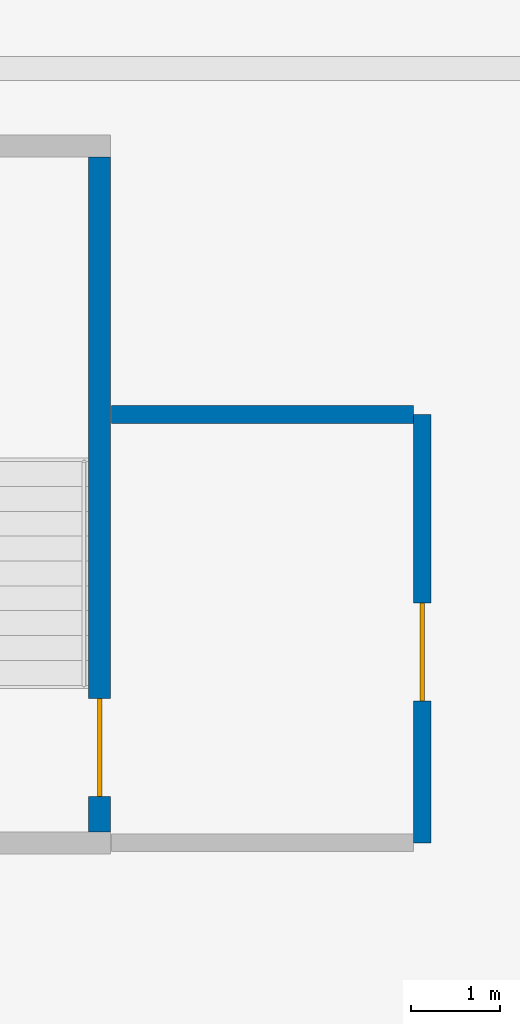
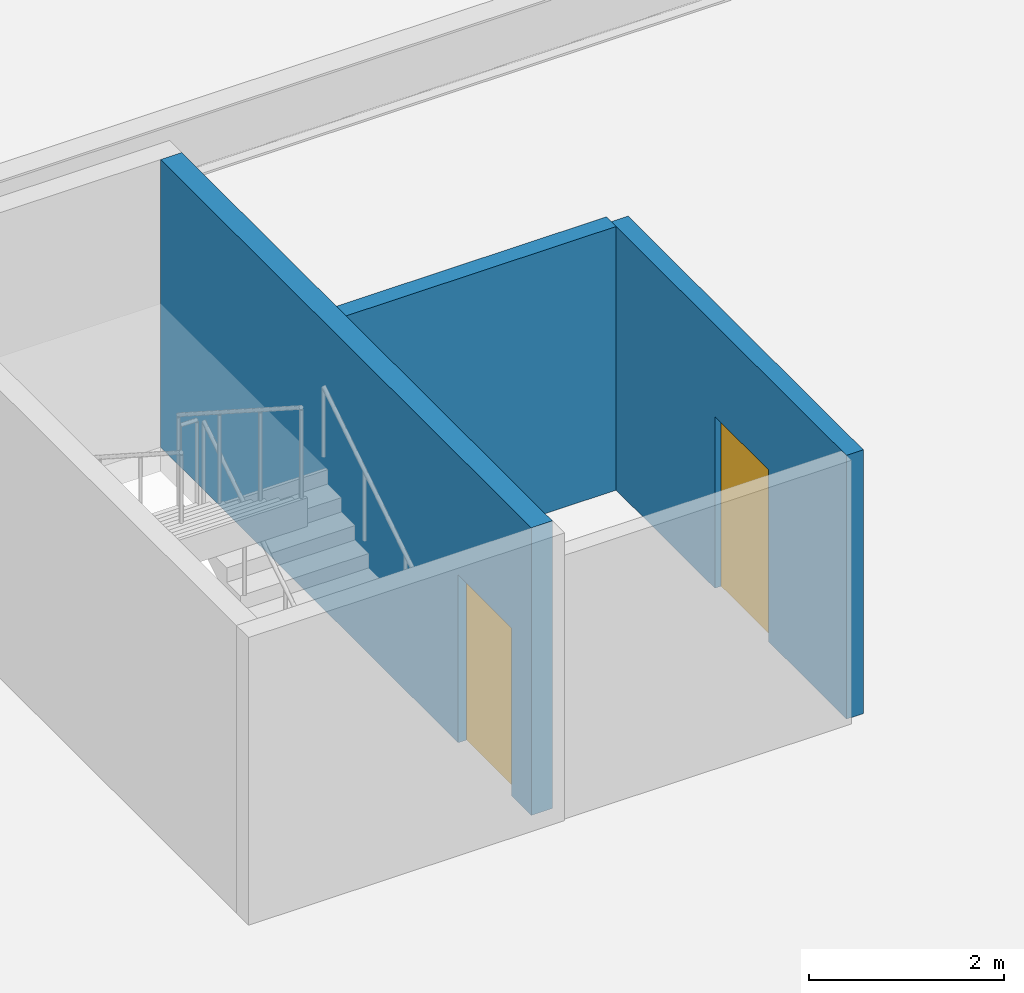
# One storey, part 4 of 22: 3 walls, 2 doors, 2 openings.
"""IFC4 building model written with IfcOpenShell, lengths in metres."""

from ifc_helpers import new_model, si_unit, direction, frame, frame_2d, origin, place, context, subcontext, project, spatial, rectangle, extrude, material, layer, layer_set, type_object, element, fill, save


model = new_model("IFC4")

# Units and contexts
model_context = context("Model", 3, precision=1e-05, world=origin(), true_north=direction((0.0, 1.0)))
body_context = subcontext(model_context, "Body", "Model", "MODEL_VIEW")
ifc_project = project(units=[si_unit("LENGTHUNIT", "METRE"), si_unit("AREAUNIT", "SQUARE_METRE"), si_unit("VOLUMEUNIT", "CUBIC_METRE"), si_unit("PLANEANGLEUNIT", "RADIAN"), si_unit("MASSUNIT", "GRAM", prefix="KILO")], contexts=[model_context])

# Site, building, storey
site_placement = place(None, origin())
site = spatial("IfcSite", under=ifc_project, at=site_placement, CompositionType="ELEMENT")
building_placement = place(site_placement, origin())
building = spatial("IfcBuilding", under=site, at=building_placement, Name="Korimba Cascade Residences", CompositionType="ELEMENT")
storey_placement = place(building_placement, frame((0.0, 0.0, -7.199951171875)))
storey = spatial("IfcBuildingStorey", under=building, at=storey_placement, Name="B02", CompositionType="ELEMENT", Elevation=-7.199951171875)

# Wall, opening, door
ifc_material_1 = material(Name="Concrete C40/50", Category="concrete")
ifc_layer_1 = layer(ifc_material_1, 0.199951171875)
ifc_layer_set_1 = layer_set([ifc_layer_1], Name="Concrete C40/50")
wall_type_1 = type_object("IfcWallType", Name="WAL-PART-200", PredefinedType="PARTITIONING", material=ifc_layer_set_1)
wall_1_placement = place(storey_placement, frame((65.0, -12.925048828125, 0.0), z_axis=(0.0, 0.0, 1.0), x_axis=(0.0, 1.0, 0.0)))
wall_1 = element("IfcWall", 1, at=wall_1_placement, inside=storey, type_object=wall_type_1, Name="B02 Partition Wall CW-B02-PL3E", PredefinedType="PARTITIONING", context=body_context, shape_type="SweptSolid", body=[
    extrude(rectangle(XDim=4.824951171875, YDim=0.199951171875, at=frame_2d((2.41259765625, 0.0))), origin(), (0.0, 0.0, 1.0), 3.300048828125),
])
opening_1_placement = place(wall_1_placement, frame((1.60009765625, 0.0, 0.0)))
opening_1 = element("IfcOpeningElement", 2, at=opening_1_placement, cuts=wall_1, Name="Opening D-FD6", PredefinedType="OPENING", context=body_context, shape_type="SweptSolid", body=[
    extrude(rectangle(XDim=1.10009765625, YDim=2.14990234375, at=frame_2d((0.550048828125, 1.074951171875))), frame((0.0, 0.10986328125, 0.0), z_axis=(0.0, -1.0, 0.0), x_axis=(1.0, 0.0, 0.0)), (0.0, 0.0, 1.0), 0.219970703125),
])
ifc_material_2 = material(Name="Fire-Rated Timber Stair Lobby Door", Category="wood")
door_type_1 = type_object("IfcDoorType", Name="DR-FD90-1100", OperationType="NOTDEFINED", PredefinedType="DOOR", material=ifc_material_2)
door_1_placement = place(opening_1_placement, origin())
door_1 = element("IfcDoor", 3, at=door_1_placement, inside=storey, type_object=door_type_1, Name="B02 South-West Stair Vestibule Door", OperationType="SINGLE_SWING_LEFT", OverallHeight=2.14990234375, OverallWidth=1.10009765625, PredefinedType="DOOR", context=body_context, shape_type="SweptSolid", body=[
    extrude(rectangle(XDim=1.10009765625, YDim=2.14990234375, at=frame_2d((0.550048828125, 1.074951171875))), frame((0.0, 0.02490234375, 0.0), z_axis=(0.0, -1.0, 0.0), x_axis=(1.0, 0.0, 0.0)), (0.0, 0.0, 1.0), 0.050048828125),
])
fill(opening_1, door_1)

# Wall
wall_2_placement = place(storey_placement, frame((61.5, -8.10009765625, 0.0), z_axis=(0.0, 0.0, 1.0), x_axis=(1.0, 0.0, 0.0)))
element("IfcWall", 4, at=wall_2_placement, inside=storey, type_object=wall_type_1, Name="B02 Partition Wall CW-B02-PL3N", PredefinedType="PARTITIONING", context=body_context, shape_type="SweptSolid", body=[
    extrude(rectangle(XDim=3.39990234375, YDim=0.199951171875, at=frame_2d((1.699951171875, 0.0))), origin(), (0.0, 0.0, 1.0), 3.300048828125),
])

# Wall, opening, door
ifc_material_3 = material(Name="Concrete C50/60", Category="concrete")
ifc_layer_2 = layer(ifc_material_3, 0.25)
ifc_layer_set_2 = layer_set([ifc_layer_2], Name="Concrete C50/60")
wall_type_2 = type_object("IfcWallType", Name="WAL-SHAFT-250", PredefinedType="SHEAR", material=ifc_layer_set_2)
wall_3_placement = place(storey_placement, frame((61.364990234375, -12.800048828125, 0.0), z_axis=(0.0, 0.0, 1.0), x_axis=(0.0, 1.0, 0.0)))
wall_3 = element("IfcWall", 5, at=wall_3_placement, inside=storey, type_object=wall_type_2, Name="B02 Core Shear Wall CW-B02-STP3E", PredefinedType="SHEAR", context=body_context, shape_type="SweptSolid", body=[
    extrude(rectangle(XDim=7.60009765625, YDim=0.25, at=frame_2d((3.800048828125, 0.0))), origin(), (0.0, 0.0, 1.0), 3.599853515625),
])
opening_2_placement = place(wall_3_placement, frame((0.39990234375, 0.0, 0.0)))
opening_2 = element("IfcOpeningElement", 6, at=opening_2_placement, cuts=wall_3, Name="Opening D-FD1", PredefinedType="OPENING", context=body_context, shape_type="SweptSolid", body=[
    extrude(rectangle(XDim=1.10009765625, YDim=2.10009765625, at=frame_2d((0.550048828125, 1.050048828125))), frame((0.0, 0.135009765625, 0.0), z_axis=(0.0, -1.0, 0.0), x_axis=(1.0, 0.0, 0.0)), (0.0, 0.0, 1.0), 0.27001953125),
])
ifc_material_4 = material(Name="Fire-Rated Steel Core Door", Category="steel")
door_type_2 = type_object("IfcDoorType", Name="DR-FD120-1100", OperationType="NOTDEFINED", PredefinedType="DOOR", material=ifc_material_4)
door_2_placement = place(opening_2_placement, origin())
door_2 = element("IfcDoor", 7, at=door_2_placement, inside=storey, type_object=door_type_2, Name="B02 Podium Stair ST-P3 Door", OperationType="SINGLE_SWING_RIGHT", OverallHeight=2.10009765625, OverallWidth=1.10009765625, PredefinedType="DOOR", context=body_context, shape_type="SweptSolid", body=[
    extrude(rectangle(XDim=1.10009765625, YDim=2.10009765625, at=frame_2d((0.550048828125, 1.050048828125))), frame((0.0, 0.02490234375, 0.0), z_axis=(0.0, -1.0, 0.0), x_axis=(1.0, 0.0, 0.0)), (0.0, 0.0, 1.0), 0.050048828125),
])
fill(opening_2, door_2)

save(model, "model.ifc")
